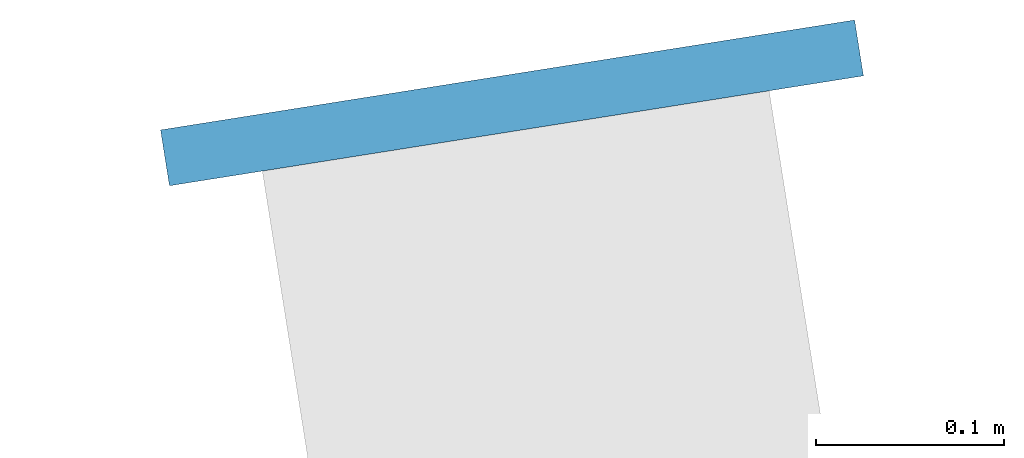
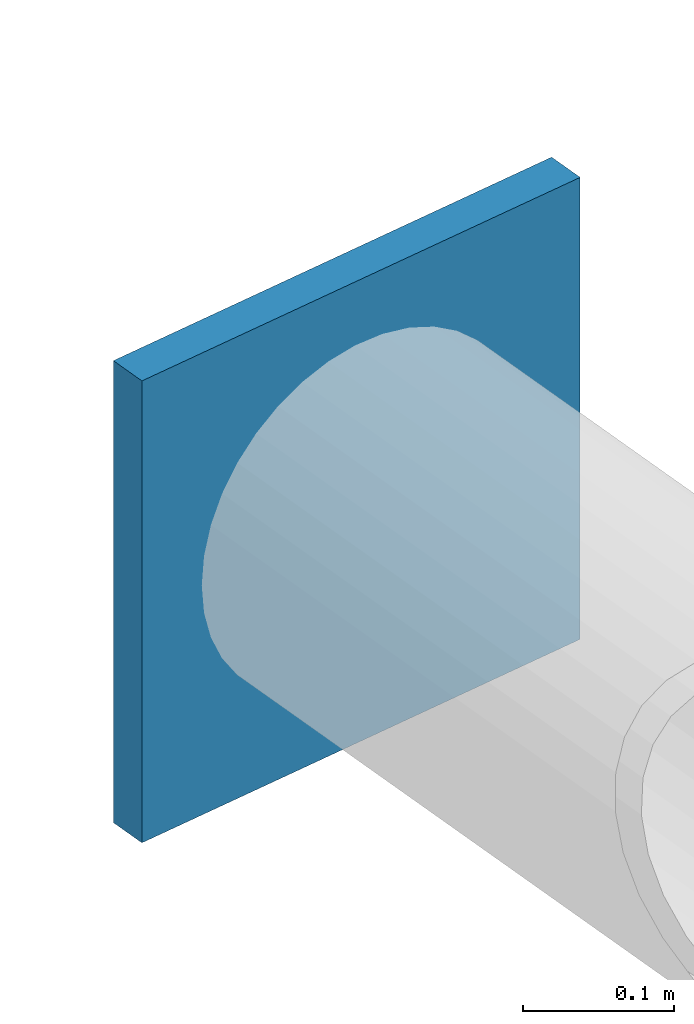
# One storey, part 14 of 17: 1 discrete accessory.
"""IFC4 building model written with IfcOpenShell, lengths in metres."""

from ifc_helpers import new_model, si_unit, direction, frame, origin, origin_2d, place, context, subcontext, project, spatial, rectangle, extrude, material, element, save


model = new_model("IFC4")

# Units and contexts
model_context = context("Model", 3, precision=1e-05, world=origin(), true_north=direction((0.0, 1.0)))
body_context = subcontext(model_context, "Body", "Model", "MODEL_VIEW")
ifc_project = project(units=[si_unit("LENGTHUNIT", "METRE"), si_unit("AREAUNIT", "SQUARE_METRE"), si_unit("VOLUMEUNIT", "CUBIC_METRE"), si_unit("PLANEANGLEUNIT", "RADIAN"), si_unit("MASSUNIT", "GRAM", prefix="KILO")], contexts=[model_context])

# Site, building, storey
site_placement = place(None, origin())
site = spatial("IfcSite", under=ifc_project, at=site_placement, CompositionType="ELEMENT")
building_placement = place(site_placement, origin())
building = spatial("IfcBuilding", under=site, at=building_placement, Name="Entoto Ring Tower", CompositionType="ELEMENT")
storey_placement = place(building_placement, frame((0.0, 0.0, 407.0)))
storey = spatial("IfcBuildingStorey", under=building, at=storey_placement, Name="L93", CompositionType="ELEMENT", Elevation=407.0)

# Discrete accessory
ifc_material = material(Name="Steel S355", Category="steel")
discrete_accessory_placement = place(storey_placement, frame((84.89794921875, 112.21337890625, 7.52685546875), z_axis=(0.0, 0.0, 1.0), x_axis=(-0.15643446504, 0.987688340595, 0.0)))
element("IfcDiscreteAccessory", 1, at=discrete_accessory_placement, inside=storey, material=ifc_material, Name="Node strut end plate DS2 ring 30 06", PredefinedType="BRACKET", context=body_context, shape_type="SweptSolid", body=[
    extrude(rectangle(XDim=0.030029296875, YDim=0.373046875, at=origin_2d()), origin(), (0.0, 0.0, 1.0), 0.373046875),
])

save(model, "model.ifc")
